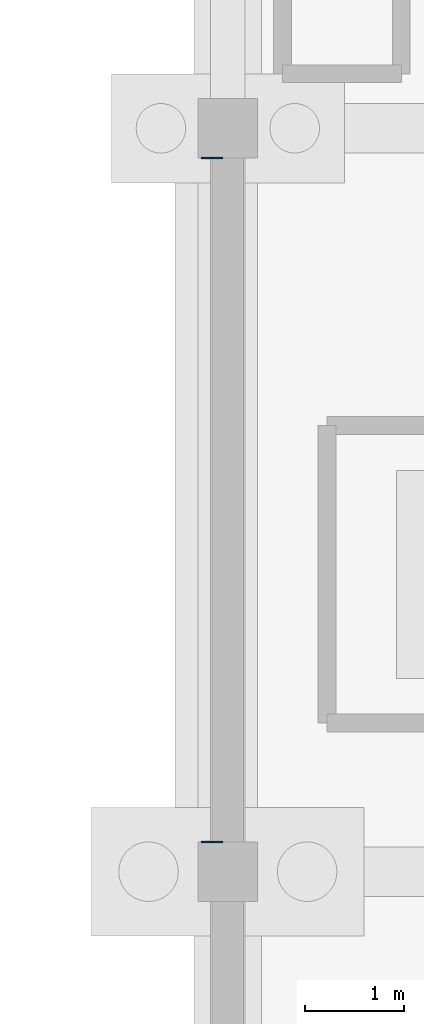
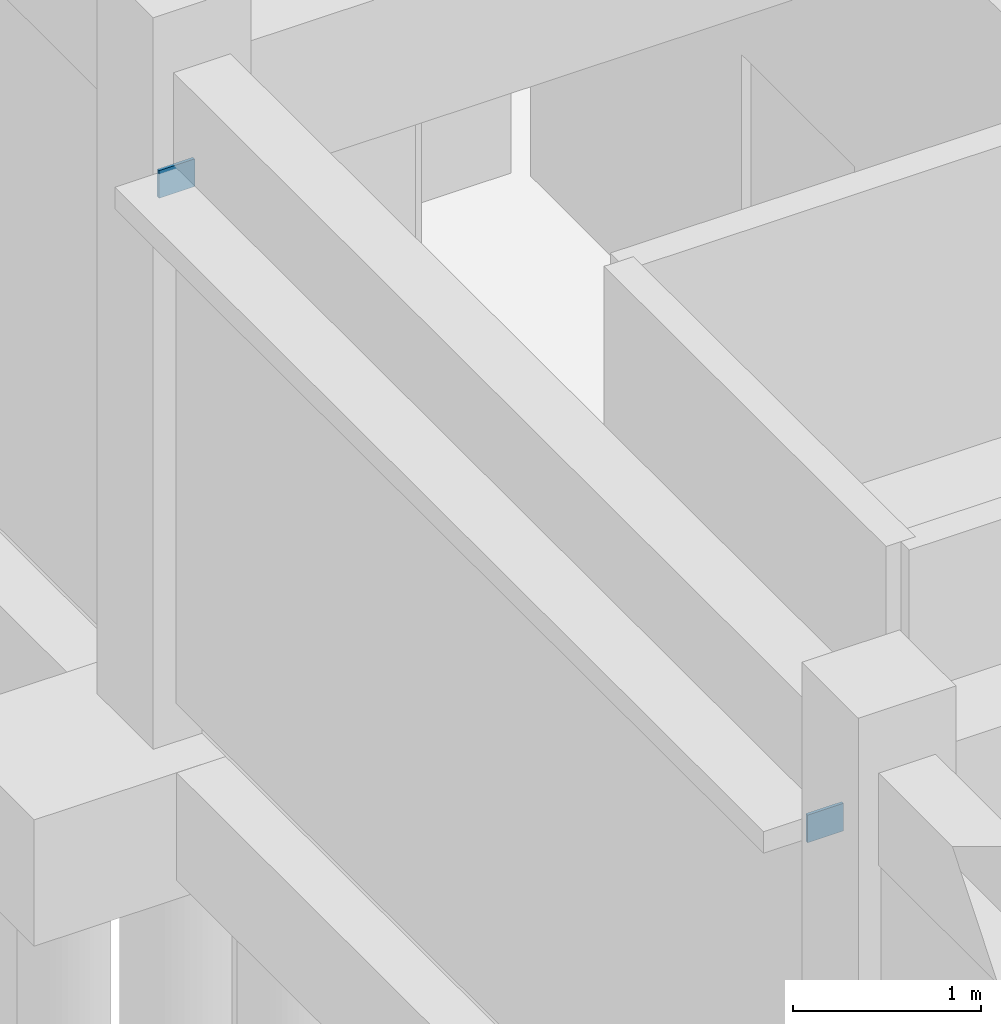
# One storey, part 71 of 93: 2 plates.
"""IFC4 building model written with IfcOpenShell, lengths in metres."""

from ifc_helpers import new_model, si_unit, direction, frame, origin, origin_2d, place, context, subcontext, project, spatial, rectangle, extrude, material, layer, layer_set, type_object, element, save


model = new_model("IFC4")

# Units and contexts
model_context = context("Model", 3, precision=1e-05, world=origin(), true_north=direction((0.0, 1.0)))
body_context = subcontext(model_context, "Body", "Model", "MODEL_VIEW")
ifc_project = project(units=[si_unit("LENGTHUNIT", "METRE"), si_unit("AREAUNIT", "SQUARE_METRE"), si_unit("VOLUMEUNIT", "CUBIC_METRE"), si_unit("PLANEANGLEUNIT", "RADIAN"), si_unit("MASSUNIT", "GRAM", prefix="KILO")], contexts=[model_context])

# Site, building, storey
site_placement = place(None, origin())
site = spatial("IfcSite", under=ifc_project, at=site_placement, CompositionType="ELEMENT")
building_placement = place(site_placement, origin())
building = spatial("IfcBuilding", under=site, at=building_placement, Name="Marnridge Secondary College", CompositionType="ELEMENT")
storey_placement = place(building_placement, origin())
storey = spatial("IfcBuildingStorey", under=building, at=storey_placement, Name="L00", CompositionType="ELEMENT", Elevation=0.0)

# Plates
ifc_material = material(Name="Structural steel plate Grade 350 (AS/NZS 3678, fy = 350 MPa <=12mm, 340 MPa 12-20mm, 330 MPa 20-50mm)", Category="steel")
ifc_layer = layer(ifc_material, 0.02392578125)
ifc_layer_set = layer_set([ifc_layer], Name="PT-GUS-GSN2")
plate_type = type_object("IfcPlateType", Name="PT-GUS-GSN2", PredefinedType="USERDEFINED", material=ifc_layer_set)
for number, where, z_axis, x_axis, name in (
    (1, (125.840087890625, 97.800048828125, 3.322265625), (0.0, 0.0, 1.0), (1.0, 0.0, 0.0), "Solar fin end bracket plate SFN-0010-BP1"),
    (2, (125.840087890625, 104.699951171875, 3.322265625), (0.0, 0.0, 1.0), (1.0, 0.0, 0.0), "Solar fin end bracket plate SFN-0010-BP2"),
):
    element("IfcPlate", number, at=place(storey_placement, frame(where, z_axis=z_axis, x_axis=x_axis)), inside=storey, type_object=plate_type, Name=name, ObjectType="GUSSET PLATE", PredefinedType="USERDEFINED", context=body_context, shape_type="SweptSolid", body=[
        extrude(rectangle(XDim=0.219970703125, YDim=0.01806640625, at=origin_2d()), origin(), (0.0, 0.0, 1.0), 0.179931640625),
    ])

save(model, "model.ifc")
